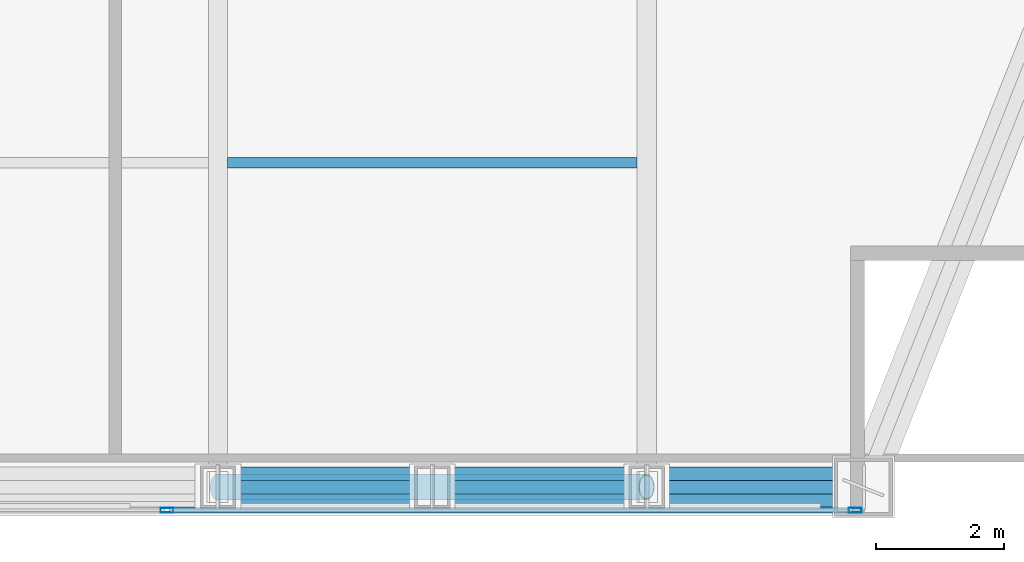
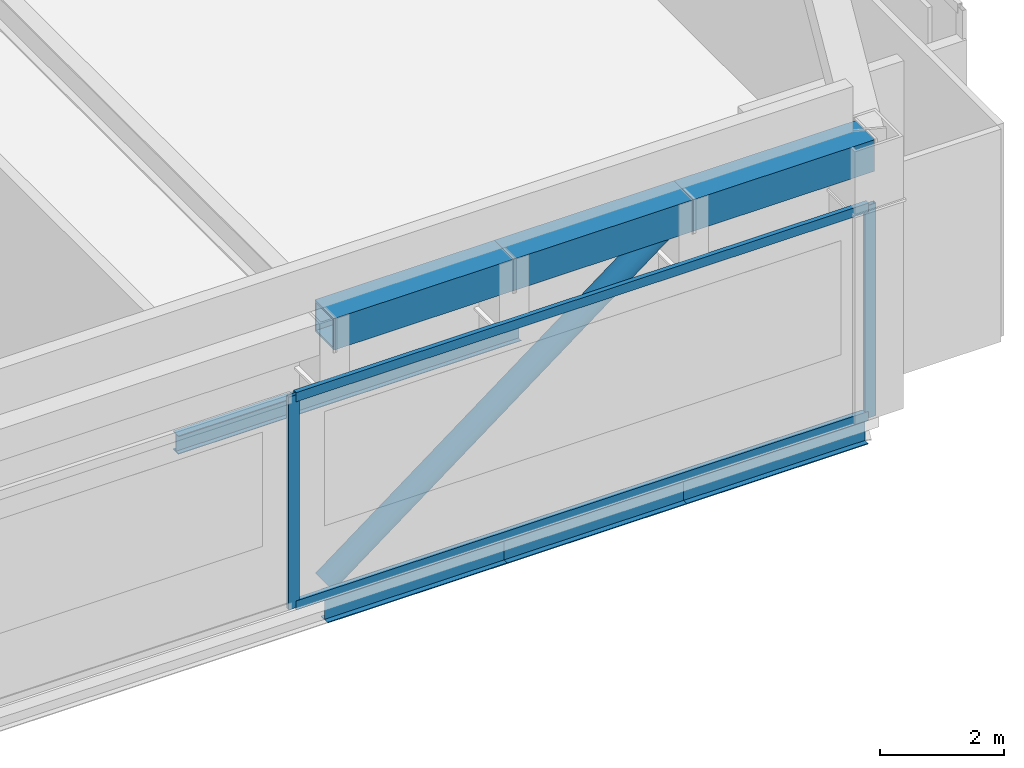
# One storey, part 10 of 24: 7 beams, 5 members, 1 element without a shape of its own.
"""IFC4 building model written with IfcOpenShell, lengths in metres."""

from ifc_helpers import new_model, si_unit, direction, frame, origin, origin_2d, place, context, subcontext, project, spatial, hollow_rectangle, hollow_circle, i_section, extrude, material, material_profile, profile_set, type_object, element, aggregate, save


model = new_model("IFC4")

# Units and contexts
model_context = context("Model", 3, precision=1e-05, world=origin(), true_north=direction((0.0, 1.0)))
body_context = subcontext(model_context, "Body", "Model", "MODEL_VIEW")
ifc_project = project(units=[si_unit("LENGTHUNIT", "METRE"), si_unit("AREAUNIT", "SQUARE_METRE"), si_unit("VOLUMEUNIT", "CUBIC_METRE"), si_unit("PLANEANGLEUNIT", "RADIAN"), si_unit("MASSUNIT", "GRAM", prefix="KILO")], contexts=[model_context])

# Site, building, storey
site_placement = place(None, origin())
site = spatial("IfcSite", under=ifc_project, at=site_placement, CompositionType="ELEMENT")
building_placement = place(site_placement, origin())
building = spatial("IfcBuilding", under=site, at=building_placement, Name="Khoronbel Lancet Exchange", CompositionType="ELEMENT")
storey_placement = place(building_placement, frame((0.0, 0.0, 378.60009765625)))
storey = spatial("IfcBuildingStorey", under=building, at=storey_placement, Name="L96", CompositionType="ELEMENT", Elevation=378.60009765625)

# Beams
ifc_material_1 = material(Name="Steel S355", Category="steel")
ifc_material_profile_1 = material_profile(ifc_material_1, i_section(OverallWidth=0.169921875, OverallDepth=0.360107421875, WebThickness=0.008056640625, FlangeThickness=0.0126953125, at=origin_2d()), Name="IPE 360")
ifc_profile_set_1 = profile_set([ifc_material_profile_1], Name="Steel S355")
beam_type_1 = type_object("IfcBeamType", Name="BM-BJ6", PredefinedType="JOIST", material=ifc_profile_set_1)
beam_1_placement = place(storey_placement, frame((48.14990234375, 15.199951171875, -0.380126953125), z_axis=(1.0, 0.0, 0.0), x_axis=(0.0, 1.0, 0.0)))
element("IfcBeam", 1, at=beam_1_placement, inside=storey, type_object=beam_type_1, Name="Level L96 secondary composite joist J03", PredefinedType="JOIST", context=body_context, shape_type="SweptSolid", body=[
    extrude(i_section(OverallWidth=0.169921875, OverallDepth=0.360107421875, WebThickness=0.008056640625, FlangeThickness=0.0126953125, at=origin_2d()), origin(), (0.0, 0.0, 1.0), 6.375),
])
ifc_material_profile_2 = material_profile(ifc_material_1, i_section(OverallWidth=0.2099609375, OverallDepth=0.550048828125, WebThickness=0.010986328125, FlangeThickness=0.01708984375, at=origin_2d()), Name="IPE 550")
ifc_profile_set_2 = profile_set([ifc_material_profile_2], Name="Steel S355")
beam_type_2 = type_object("IfcBeamType", Name="BM-BSP3", PredefinedType="SPANDREL", material=ifc_profile_set_2)
beam_2_placement = place(storey_placement, frame((48.0, 10.14990234375, -0.47509765625), z_axis=(1.0, 0.0, 0.0), x_axis=(0.0, 1.0, 0.0)))
element("IfcBeam", 2, at=beam_2_placement, inside=storey, type_object=beam_type_2, Name="Level L96 perimeter spandrel beam SP05", PredefinedType="SPANDREL", context=body_context, shape_type="SweptSolid", body=[
    extrude(i_section(OverallWidth=0.2099609375, OverallDepth=0.550048828125, WebThickness=0.010986328125, FlangeThickness=0.01708984375, at=origin_2d()), origin(), (0.0, 0.0, 1.0), 3.33740234375),
])
beam_3_placement = place(storey_placement, frame((51.33740234375, 10.14990234375, -0.47509765625), z_axis=(1.0, 0.0, 0.0), x_axis=(0.0, 1.0, 0.0)))
element("IfcBeam", 3, at=beam_3_placement, inside=storey, type_object=beam_type_2, Name="Level L96 perimeter spandrel beam SP06", PredefinedType="SPANDREL", context=body_context, shape_type="SweptSolid", body=[
    extrude(i_section(OverallWidth=0.2099609375, OverallDepth=0.550048828125, WebThickness=0.010986328125, FlangeThickness=0.01708984375, at=origin_2d()), origin(), (0.0, 0.0, 1.0), 3.337646484375),
])
beam_4_placement = place(storey_placement, frame((54.675048828125, 10.14990234375, -0.47509765625), z_axis=(1.0, 0.0, 0.0), x_axis=(0.0, 1.0, 0.0)))
element("IfcBeam", 4, at=beam_4_placement, inside=storey, type_object=beam_type_2, Name="Level L96 perimeter spandrel beam SP07", PredefinedType="SPANDREL", context=body_context, shape_type="SweptSolid", body=[
    extrude(i_section(OverallWidth=0.2099609375, OverallDepth=0.550048828125, WebThickness=0.010986328125, FlangeThickness=0.01708984375, at=origin_2d()), origin(), (0.0, 0.0, 1.0), 3.375),
])
ifc_material_profile_3 = material_profile(ifc_material_1, hollow_rectangle(XDim=0.6201171875, YDim=0.6201171875, WallThickness=0.0400390625, at=origin_2d()), Name="BOX 620x620x40")
ifc_profile_set_3 = profile_set([ifc_material_profile_3], Name="Steel S355")
beam_type_3 = type_object("IfcBeamType", Name="BM-RB1", PredefinedType="USERDEFINED", material=ifc_profile_set_3)
beam_5_placement = place(storey_placement, frame((48.0, 10.14990234375, 5.0498046875), z_axis=(1.0, 0.0, 0.0), x_axis=(0.0, 1.0, 0.0)))
element("IfcBeam", 5, at=beam_5_placement, inside=storey, type_object=beam_type_3, Name="CROWN FRAME top ring cap beam RB05", ObjectType="RING BEAM", PredefinedType="USERDEFINED", context=body_context, shape_type="SweptSolid", body=[
    extrude(hollow_rectangle(XDim=0.6201171875, YDim=0.6201171875, WallThickness=0.0400390625, at=origin_2d()), origin(), (0.0, 0.0, 1.0), 3.33740234375),
])
beam_6_placement = place(storey_placement, frame((51.33740234375, 10.14990234375, 5.0498046875), z_axis=(1.0, 0.0, 0.0), x_axis=(0.0, 1.0, 0.0)))
element("IfcBeam", 6, at=beam_6_placement, inside=storey, type_object=beam_type_3, Name="CROWN FRAME top ring cap beam RB06", ObjectType="RING BEAM", PredefinedType="USERDEFINED", context=body_context, shape_type="SweptSolid", body=[
    extrude(hollow_rectangle(XDim=0.6201171875, YDim=0.6201171875, WallThickness=0.0400390625, at=origin_2d()), origin(), (0.0, 0.0, 1.0), 3.337646484375),
])
beam_7_placement = place(storey_placement, frame((54.675048828125, 10.14990234375, 5.0498046875), z_axis=(1.0, 0.0, 0.0), x_axis=(0.0, 1.0, 0.0)))
element("IfcBeam", 7, at=beam_7_placement, inside=storey, type_object=beam_type_3, Name="CROWN FRAME top ring cap beam RB07", ObjectType="RING BEAM", PredefinedType="USERDEFINED", context=body_context, shape_type="SweptSolid", body=[
    extrude(hollow_rectangle(XDim=0.6201171875, YDim=0.6201171875, WallThickness=0.0400390625, at=origin_2d()), origin(), (0.0, 0.0, 1.0), 3.375),
])

# Curtain wall, members
ifc_material_2 = material(Name="Low-E Solar Control Insulating Glass", Category="glass")
curtain_wall_type = type_object("IfcCurtainWallType", Name="CW-6", PredefinedType="NOTDEFINED", material=ifc_material_2)
curtain_wall_placement = place(storey_placement, origin())
curtain_wall = element("IfcCurtainWall", 8, at=curtain_wall_placement, inside=storey, type_object=curtain_wall_type, Name="Unitised curtain wall CW-L96-E12", PredefinedType="NOTDEFINED")
ifc_material_3 = material(Name="Bronze-Anodised Aluminium 6063-T6", Category="aluminium")
ifc_material_profile_4 = material_profile(ifc_material_3, hollow_rectangle(XDim=0.074951171875, YDim=0.199951171875, WallThickness=0.0048828125, at=origin_2d()), Name="ALU MULLION 75x200")
ifc_profile_set_4 = profile_set([ifc_material_profile_4], Name="Bronze-Anodised Aluminium 6063-T6")
member_type_1 = type_object("IfcMemberType", Name="MEM-CWM2", PredefinedType="MULLION", material=ifc_profile_set_4)
member_1_placement = place(storey_placement, frame((57.922607421875, 9.7900390625, 0.0), z_axis=(0.0, 0.0, 1.0), x_axis=(0.0, -1.0, 0.0)))
member_1 = element("IfcMember", 9, at=member_1_placement, type_object=member_type_1, Name="CW6 mullion 1", PredefinedType="MULLION", context=body_context, shape_type="SweptSolid", body=[
    extrude(hollow_rectangle(XDim=0.074951171875, YDim=0.199951171875, WallThickness=0.0048828125, at=origin_2d()), origin(), (0.0, 0.0, 1.0), 4.179931640625),
])
member_2_placement = place(storey_placement, frame((47.205078125, 9.7900390625, 0.0), z_axis=(0.0, 0.0, 1.0), x_axis=(0.0, -1.0, 0.0)))
member_2 = element("IfcMember", 10, at=member_2_placement, type_object=member_type_1, Name="CW6 mullion 2", PredefinedType="MULLION", context=body_context, shape_type="SweptSolid", body=[
    extrude(hollow_rectangle(XDim=0.074951171875, YDim=0.199951171875, WallThickness=0.0048828125, at=origin_2d()), origin(), (0.0, 0.0, 1.0), 4.179931640625),
])
ifc_material_profile_5 = material_profile(ifc_material_3, hollow_rectangle(XDim=0.0849609375, YDim=0.179931640625, WallThickness=0.0048828125, at=origin_2d()), Name="ALU TRANSOM 85x180")
ifc_profile_set_5 = profile_set([ifc_material_profile_5], Name="Bronze-Anodised Aluminium 6063-T6")
member_type_2 = type_object("IfcMemberType", Name="MEM-CWT1", PredefinedType="USERDEFINED", material=ifc_profile_set_5)
member_3_placement = place(storey_placement, frame((57.885009765625, 9.7900390625, 0.04248046875), z_axis=(-1.0, 0.0, 0.0), x_axis=(0.0, -1.0, 0.0)))
member_3 = element("IfcMember", 11, at=member_3_placement, type_object=member_type_2, Name="CW6 transom 1.1", ObjectType="TRANSOM", PredefinedType="USERDEFINED", context=body_context, shape_type="SweptSolid", body=[
    extrude(hollow_rectangle(XDim=0.0849609375, YDim=0.179931640625, WallThickness=0.0048828125, at=origin_2d()), origin(), (0.0, 0.0, 1.0), 10.642578125),
])
member_4_placement = place(storey_placement, frame((57.885009765625, 9.7900390625, 4.137451171875), z_axis=(-1.0, 0.0, 0.0), x_axis=(0.0, -1.0, 0.0)))
member_4 = element("IfcMember", 12, at=member_4_placement, type_object=member_type_2, Name="CW6 transom 1.2", ObjectType="TRANSOM", PredefinedType="USERDEFINED", context=body_context, shape_type="SweptSolid", body=[
    extrude(hollow_rectangle(XDim=0.0849609375, YDim=0.179931640625, WallThickness=0.0048828125, at=origin_2d()), origin(), (0.0, 0.0, 1.0), 10.642578125),
])
aggregate(curtain_wall, [member_1, member_2, member_3, member_4])

# Member
ifc_material_profile_6 = material_profile(ifc_material_1, hollow_circle(Radius=0.203125, WallThickness=0.02001953125, at=origin_2d()), Name="CHS 406.4x20")
ifc_profile_set_6 = profile_set([ifc_material_profile_6], Name="Steel S355")
member_type_3 = type_object("IfcMemberType", Name="MEM-STR2", PredefinedType="STRUT", material=ifc_profile_set_6)
member_5_placement = place(storey_placement, frame((48.0, 10.14990234375, 0.0), z_axis=(0.79749741818, 0.0, 0.603322358276), x_axis=(0.0, 1.0, 0.0)))
element("IfcMember", 13, at=member_5_placement, inside=storey, type_object=member_type_3, Name="CROWN FRAME diagonal ring brace L96-S2", PredefinedType="STRUT", context=body_context, shape_type="SweptSolid", body=[
    extrude(hollow_circle(Radius=0.203125, WallThickness=0.02001953125, at=origin_2d()), origin(), (0.0, 0.0, 1.0), 8.369873046875),
])

save(model, "model.ifc")
